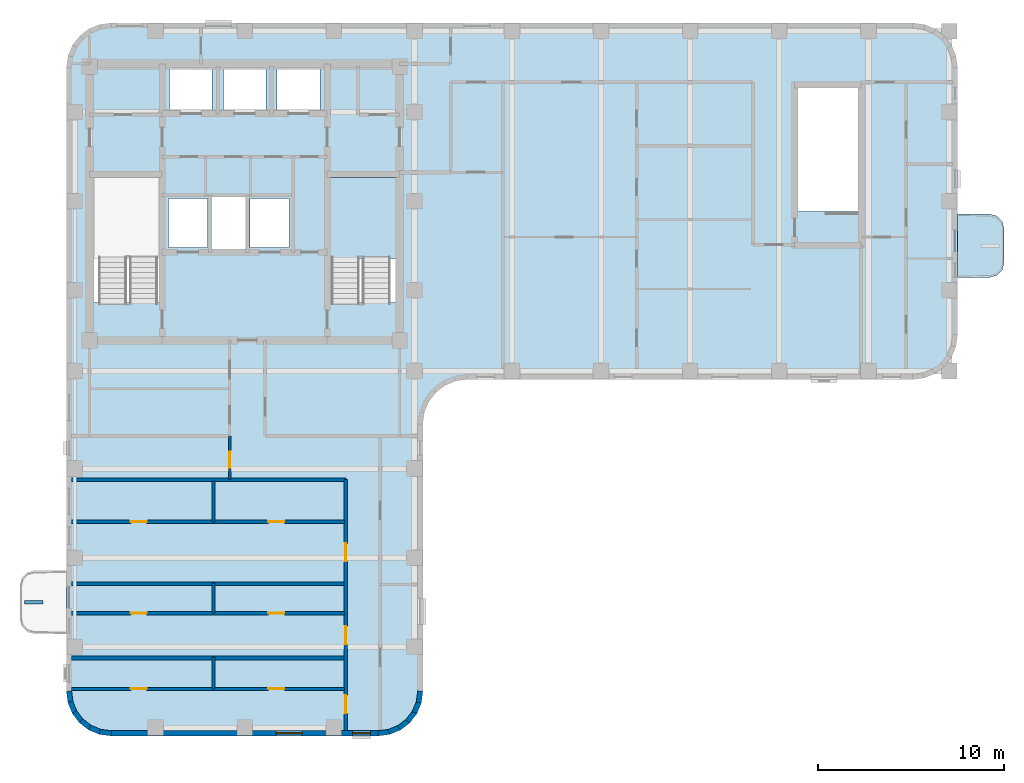
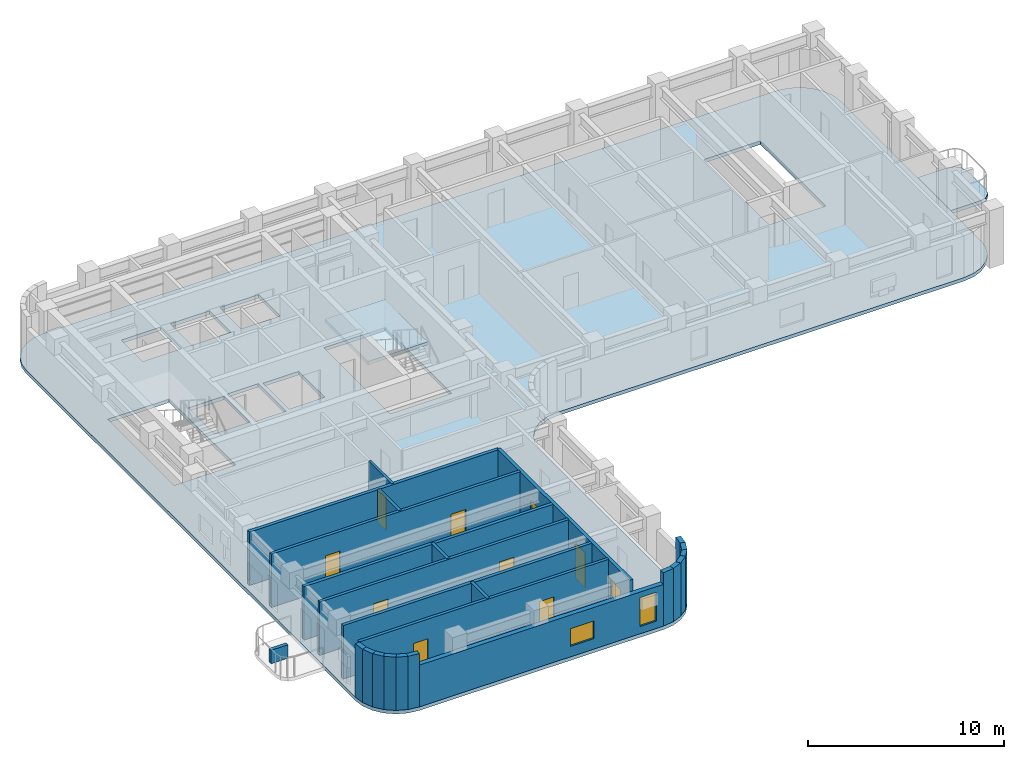
# One storey, part 2 of 8: 25 walls, 10 doors, 3 slabs, 2 windows, 12 openings, 1 element without a shape of its own.
"""IFC4 building model written with IfcOpenShell, lengths in metres."""

import ifcopenshell
import ifcopenshell.guid

model = None  # the IFC model being written
_history = None  # IfcOwnerHistory: only IFC2X3 demands one
_inside = {}  # id of a spatial element -> (the spatial element, [elements in it])
_under = {}  # id of a project, library or spatial element -> (it, [spatial elements below it])
_declared = {}  # id of a project -> (the project, [libraries it declares])
_typed = {}  # id of a type object -> (the type object, [elements of that type])
_made_of = {}  # id of a material, layer set ... -> (it, [elements and type objects made of it])


def new_model(schema):
    """Start an empty IFC model of exactly this schema.

    Asked for "IFC4X3", IfcOpenShell would pick the latest addendum, in which some entities
    have other attributes; the version numbers below select the first issue.
    IFC2X3 requires an IfcOwnerHistory on every rooted entity: one is made here for all.
    """
    global model, _history
    if schema == "IFC4X3":
        model = ifcopenshell.file(schema_version=(4, 3, 0, 0))
    else:
        model = ifcopenshell.file(schema=schema)
    _inside.clear()
    _under.clear()
    _declared.clear()
    _typed.clear()
    _made_of.clear()
    _history = None
    if model.schema == "IFC2X3":
        org = make("IfcOrganization", Name="unknown")
        user = make(
            "IfcPersonAndOrganization",
            ThePerson=make("IfcPerson", FamilyName="unknown"),
            TheOrganization=org,
        )
        app = make(
            "IfcApplication",
            ApplicationDeveloper=org,
            Version="unknown",
            ApplicationFullName="unknown",
            ApplicationIdentifier="unknown",
        )
        _history = make(
            "IfcOwnerHistory",
            OwningUser=user,
            OwningApplication=app,
            ChangeAction="ADDED",
            CreationDate=0,
        )
    return model


def make(cls, **values):
    """One entity of the class cls with the attributes given. An attribute that is None is left unset."""
    return model.create_entity(
        cls, **{name: value for name, value in values.items() if value is not None}
    )


def rooted(cls, **values):
    """An entity with a GlobalId (a new one), such as an element, a storey or a relation."""
    return make(cls, GlobalId=ifcopenshell.guid.new(), OwnerHistory=_history, **values)


def si_unit(unit_type, name, prefix=None):
    """IfcSIUnit, for example si_unit("LENGTHUNIT", "METRE", prefix="MILLI")."""
    return make("IfcSIUnit", UnitType=unit_type, Prefix=prefix, Name=name)


def assignment(units):
    """IfcUnitAssignment: the units of a project."""
    return None if units is None else make("IfcUnitAssignment", Units=units)


def point(xyz):
    """IfcCartesianPoint."""
    return None if xyz is None else make("IfcCartesianPoint", Coordinates=xyz)


def direction(xyz):
    """IfcDirection."""
    return None if xyz is None else make("IfcDirection", DirectionRatios=xyz)


def frame(location, z_axis=None, x_axis=None):
    """IfcAxis2Placement3D, a coordinate frame: its origin and axes. An axis left out is left unset."""
    return make(
        "IfcAxis2Placement3D",
        Location=point(location),
        Axis=direction(z_axis),
        RefDirection=direction(x_axis),
    )


def frame_2d(location, x_axis=None):
    """IfcAxis2Placement2D, a coordinate frame in the plane: its origin and x axis."""
    return make(
        "IfcAxis2Placement2D", Location=point(location), RefDirection=direction(x_axis)
    )


def origin():
    """The frame at (0, 0, 0) with its axes left unset."""
    return frame((0.0, 0.0, 0.0))


def place(relative_to, where):
    """IfcLocalPlacement: puts the frame where relative to a parent placement (None: the world)."""
    return make(
        "IfcLocalPlacement", PlacementRelTo=relative_to, RelativePlacement=where
    )


def context(
    kind, dimensions, precision=None, world=None, true_north=None, identifier=None
):
    """IfcGeometricRepresentationContext, for example the 3D "Model" context."""
    return make(
        "IfcGeometricRepresentationContext",
        ContextIdentifier=identifier,
        ContextType=kind,
        CoordinateSpaceDimension=dimensions,
        Precision=precision,
        WorldCoordinateSystem=world,
        TrueNorth=true_north,
    )


def subcontext(parent, identifier, kind, view, scale=None):
    """IfcGeometricRepresentationSubContext, for example "Body" below "Model"."""
    return make(
        "IfcGeometricRepresentationSubContext",
        ContextIdentifier=identifier,
        ContextType=kind,
        ParentContext=parent,
        TargetScale=scale,
        TargetView=view,
    )


def project(units=None, contexts=None):
    """IfcProject with its units and contexts."""
    return rooted(
        "IfcProject",
        Name="project",
        RepresentationContexts=contexts,
        UnitsInContext=assignment(units),
    )


def spatial(cls, under=None, at=None, **own):
    """A site, building, storey or space (cls), placed at a placement, below another one or the project."""
    s = rooted(cls, ObjectPlacement=at, **own)
    if under is not None:
        _under.setdefault(under.id(), (under, []))[1].append(s)
    return s


def polyline(points):
    """IfcPolyline through the points."""
    return make("IfcPolyline", Points=[point(p) for p in points])


def profile(cls, at=None, kind="AREA", **sizes):
    """A parametric profile (cls). Its sizes go by their IFC names, for example OverallWidth=200.0."""
    return make(cls, ProfileType=kind, Position=at, **sizes)


def rectangle(**sizes):
    """IfcRectangleProfileDef."""
    return profile("IfcRectangleProfileDef", **sizes)


def outline(outer, holes=None, kind="AREA"):
    """IfcArbitraryClosedProfileDef: a profile drawn as a closed curve; with holes, ...WithVoids."""
    if holes is None:
        return make("IfcArbitraryClosedProfileDef", ProfileType=kind, OuterCurve=outer)
    return make(
        "IfcArbitraryProfileDefWithVoids",
        ProfileType=kind,
        OuterCurve=outer,
        InnerCurves=holes,
    )


def extrude(swept, where, along, depth):
    """IfcExtrudedAreaSolid: the profile swept, set in the frame where, extruded along a direction by depth."""
    return make(
        "IfcExtrudedAreaSolid",
        SweptArea=swept,
        Position=where,
        ExtrudedDirection=direction(along),
        Depth=depth,
    )


def shape(context_of_items, identifier, shape_type, items):
    """IfcShapeRepresentation: the items that make up one representation, for example the "Body"."""
    return make(
        "IfcShapeRepresentation",
        ContextOfItems=context_of_items,
        RepresentationIdentifier=identifier,
        RepresentationType=shape_type,
        Items=items,
    )


def material(Name=None, Category=None):
    """IfcMaterial."""
    return make("IfcMaterial", Name=Name, Category=Category)


def layer(
    of_material, thickness, ventilated=None, Name=None, Category=None, Priority=None
):
    """IfcMaterialLayer: one layer of a wall or slab, of a material (None: an air gap)."""
    return make(
        "IfcMaterialLayer",
        Material=of_material,
        LayerThickness=thickness,
        IsVentilated=ventilated,
        Name=Name,
        Category=Category,
        Priority=Priority,
    )


def layer_set(layers, Name=None):
    """IfcMaterialLayerSet."""
    return make("IfcMaterialLayerSet", MaterialLayers=layers, LayerSetName=Name)


def made_of(thing, what):
    """Note that an element or type object is made of a material, layer set ...; save() writes the relation."""
    if what is not None:
        _made_of.setdefault(what.id(), (what, []))[1].append(thing)
    return thing


def type_object(cls, material=None, **own):
    """A type object (cls), such as IfcWallType, which elements share."""
    return made_of(rooted(cls, **own), material)


def element(
    cls,
    number,
    at=None,
    inside=None,
    cuts=None,
    type_object=None,
    material=None,
    context=None,
    identifier="Body",
    shape_type=None,
    held_by="IfcProductDefinitionShape",
    body=None,
    shapes=None,
    **own,
):
    """One element of the class cls, such as IfcWall. Its Tag is "e" and its number.

    at: its placement. inside: the storey or other place that contains it. cuts: it is an
    opening in that element (IfcRelVoidsElement). A single representation is given by context,
    identifier, shape_type and body (its items); several are given by shapes. held_by: the class
    of the entity that holds the representations. save() writes the other relations.
    """
    e = rooted(cls, Tag="e%d" % number, ObjectPlacement=at, **own)
    if body is not None:
        shapes = [shape(context, identifier, shape_type, body)]
    if shapes is not None:
        e.Representation = make(held_by, Representations=shapes)
    if inside is not None:
        _inside.setdefault(inside.id(), (inside, []))[1].append(e)
    if cuts is not None:
        rooted(
            "IfcRelVoidsElement", RelatingBuildingElement=cuts, RelatedOpeningElement=e
        )
    if type_object is not None:
        _typed.setdefault(type_object.id(), (type_object, []))[1].append(e)
    return made_of(e, material)


def fill(opening, filler):
    """IfcRelFillsElement: the door or window that sits in an opening."""
    return rooted(
        "IfcRelFillsElement",
        RelatingOpeningElement=opening,
        RelatedBuildingElement=filler,
    )


def aggregate(whole, parts):
    """IfcRelAggregates: a whole, such as a stair, and the parts it consists of."""
    return rooted("IfcRelAggregates", RelatingObject=whole, RelatedObjects=parts)


def save(model, path):
    """Write the relations noted so far, then the file.

    IfcRelAggregates (storeys below a building ...), IfcRelContainedInSpatialStructure (elements
    in a storey), IfcRelDefinesByType, IfcRelAssociatesMaterial and IfcRelDeclares: one each for
    every whole, place, type object, material and project.
    """
    for whole, parts in _under.values():
        aggregate(whole, parts)
    for where, things in _inside.values():
        rooted(
            "IfcRelContainedInSpatialStructure",
            RelatedElements=things,
            RelatingStructure=where,
        )
    for kind, things in _typed.values():
        rooted("IfcRelDefinesByType", RelatedObjects=things, RelatingType=kind)
    for what, things in _made_of.values():
        rooted("IfcRelAssociatesMaterial", RelatedObjects=things, RelatingMaterial=what)
    for by, libraries in _declared.values():
        rooted("IfcRelDeclares", RelatingContext=by, RelatedDefinitions=libraries)
    model.write(path)


model = new_model("IFC4")

# Units and contexts
model_context = context("Model", 3, precision=1e-05, world=origin(), true_north=direction((0.0, 1.0)))
body_context = subcontext(model_context, "Body", "Model", "MODEL_VIEW")
ifc_project = project(units=[si_unit("LENGTHUNIT", "METRE"), si_unit("AREAUNIT", "SQUARE_METRE"), si_unit("VOLUMEUNIT", "CUBIC_METRE"), si_unit("PLANEANGLEUNIT", "RADIAN"), si_unit("MASSUNIT", "GRAM", prefix="KILO")], contexts=[model_context])

# Site, building, storey
site_placement = place(None, origin())
site = spatial("IfcSite", under=ifc_project, at=site_placement, CompositionType="ELEMENT")
building_placement = place(site_placement, origin())
building = spatial("IfcBuilding", under=site, at=building_placement, Name="Orvandelia Arch Residences", CompositionType="ELEMENT")
storey_placement = place(building_placement, frame((0.0, 0.0, 236.199951171875)))
storey = spatial("IfcBuildingStorey", under=building, at=storey_placement, Name="L62", CompositionType="ELEMENT", Elevation=236.199951171875)

# Slab
ifc_material_1 = material(Name="Precast concrete C40/50", Category="concrete")
ifc_layer_1 = layer(ifc_material_1, 0.219970703125, Name="Precast concrete C40/50", Category="concrete")
ifc_layer_set_1 = layer_set([ifc_layer_1], Name="Precast concrete C40/50")
slab_type_1 = type_object("IfcSlabType", Name="SLB-BAL-220", PredefinedType="USERDEFINED", material=ifc_layer_set_1)
slab_1_placement = place(storey_placement, frame((0.0, 0.0, -0.219970703125)))
element("IfcSlab", 1, at=slab_1_placement, inside=storey, type_object=slab_type_1, Name="Tree Balcony Cantilever Slab BAL-L62-E1", ObjectType="BALCONY", PredefinedType="USERDEFINED", context=body_context, shape_type="SweptSolid", body=[
    extrude(outline(polyline([(52.800048828125, 37.699951171875), (52.800048828125, 34.300048828125), (54.550048828125, 34.300048828125), (54.925048828125, 34.400390625), (55.199462890625, 34.675048828125), (55.300048828125, 35.050048828125), (55.300048828125, 36.949951171875), (55.199462890625, 37.324951171875), (54.925048828125, 37.599609375), (54.550048828125, 37.699951171875), (52.800048828125, 37.699951171875)])), origin(), (0.0, 0.0, 1.0), 0.219970703125),
])

# Stair, slab
ifc_material_2 = material(Name="Concrete C40/50", Category="concrete")
stair_type = type_object("IfcStairType", Name="STAIR-RC-DOGLEG", PredefinedType="HALF_TURN_STAIR", material=ifc_material_2)
stair_placement = place(storey_placement, origin())
stair = element("IfcStair", 2, at=stair_placement, inside=storey, type_object=stair_type, Name="L62 Protected Exit Stair ST-2", PredefinedType="HALF_TURN_STAIR")
ifc_layer_2 = layer(ifc_material_2, 0.219970703125, Name="Concrete C40/50", Category="concrete")
ifc_layer_set_2 = layer_set([ifc_layer_2], Name="Concrete C40/50")
slab_type_2 = type_object("IfcSlabType", Name="SLB-LANDING-220", PredefinedType="LANDING", material=ifc_layer_set_2)
slab_2_placement = place(storey_placement, frame((0.0, 0.0, 1.60009765625)))
slab_2 = element("IfcSlab", 3, at=slab_2_placement, type_object=slab_type_2, Name="ST-2 landing 1", PredefinedType="LANDING", context=body_context, shape_type="SweptSolid", body=[
    extrude(outline(polyline([(22.5400390625, 35.31005859375), (22.5400390625, 39.68994140625), (19.0, 39.68994140625), (19.0, 35.31005859375), (22.5400390625, 35.31005859375)])), origin(), (0.0, 0.0, 1.0), 0.199951171875),
])
aggregate(stair, [slab_2])

# Slab
ifc_layer_3 = layer(ifc_material_2, 0.219970703125, Name="Concrete C40/50", Category="concrete")
ifc_layer_set_3 = layer_set([ifc_layer_3], Name="Concrete C40/50")
slab_type_3 = type_object("IfcSlabType", Name="SLB-TWR-220", PredefinedType="FLOOR", material=ifc_layer_set_3)
slab_3_placement = place(storey_placement, frame((0.0, 0.0, -0.219970703125)))
element("IfcSlab", 4, at=slab_3_placement, inside=storey, type_object=slab_type_3, Name="Structural Floor Slab L62-1", PredefinedType="FLOOR", context=body_context, shape_type="SweptSolid", body=[
    extrude(outline(polyline([(4.800048828125, 12.0), (4.8818359375, 11.37890625), (5.12158203125, 10.800048828125), (5.5029296875, 10.302978515625), (6.0, 9.92138671875), (6.578857421875, 9.681884765625), (7.199951171875, 9.60009765625), (21.60009765625, 9.60009765625), (22.22119140625, 9.681884765625), (22.800048828125, 9.92138671875), (23.297119140625, 10.302978515625), (23.678466796875, 10.800048828125), (23.918212890625, 11.37890625), (24.0, 12.0), (24.0, 26.39990234375), (24.081787109375, 27.021240234375), (24.321533203125, 27.60009765625), (24.702880859375, 28.09716796875), (25.199951171875, 28.478515625), (25.77880859375, 28.71826171875), (26.39990234375, 28.800048828125), (50.39990234375, 28.800048828125), (51.021240234375, 28.8818359375), (51.60009765625, 29.12158203125), (52.09716796875, 29.5029296875), (52.478515625, 30.0), (52.71826171875, 30.578857421875), (52.800048828125, 31.199951171875), (52.800048828125, 45.60009765625), (52.71826171875, 46.22119140625), (52.478515625, 46.800048828125), (52.09716796875, 47.297119140625), (51.60009765625, 47.678466796875), (51.021240234375, 47.918212890625), (50.39990234375, 48.0), (7.199951171875, 48.0), (6.578857421875, 47.918212890625), (6.0, 47.678466796875), (5.5029296875, 47.297119140625), (5.12158203125, 46.800048828125), (4.8818359375, 46.22119140625), (4.800048828125, 45.60009765625), (4.800048828125, 12.0)]), holes=[polyline([(6.219970703125, 32.949951171875), (9.840087890625, 32.949951171875), (9.840087890625, 39.72998046875), (6.219970703125, 39.72998046875), (6.219970703125, 32.949951171875)]), polyline([(18.9599609375, 32.949951171875), (22.580078125, 32.949951171875), (22.580078125, 39.72998046875), (18.9599609375, 39.72998046875), (18.9599609375, 32.949951171875)]), polyline([(44.139892578125, 37.85009765625), (47.47998046875, 37.85009765625), (47.47998046875, 44.5400390625), (44.139892578125, 44.5400390625), (44.139892578125, 37.85009765625)]), polyline([(12.639892578125, 35.81005859375), (14.4599609375, 35.81005859375), (14.4599609375, 38.639892578125), (12.639892578125, 38.639892578125), (12.639892578125, 35.81005859375)]), polyline([(10.300048828125, 35.89990234375), (12.39990234375, 35.89990234375), (12.39990234375, 38.550048828125), (10.300048828125, 38.550048828125), (10.300048828125, 35.89990234375)]), polyline([(14.699951171875, 35.89990234375), (16.800048828125, 35.89990234375), (16.800048828125, 38.550048828125), (14.699951171875, 38.550048828125), (14.699951171875, 35.89990234375)]), polyline([(10.35009765625, 43.300048828125), (12.64990234375, 43.300048828125), (12.64990234375, 45.5), (10.35009765625, 45.5), (10.35009765625, 43.300048828125)]), polyline([(13.25, 43.300048828125), (15.550048828125, 43.300048828125), (15.550048828125, 45.5), (13.25, 45.5), (13.25, 43.300048828125)]), polyline([(16.14990234375, 43.300048828125), (18.449951171875, 43.300048828125), (18.449951171875, 45.5), (16.14990234375, 45.5), (16.14990234375, 43.300048828125)])]), origin(), (0.0, 0.0, 1.0), 0.219970703125),
])

# Wall, openings, doors
ifc_material_3 = material(Name="Fire-Rated Corridor Partition")
ifc_layer_4 = layer(ifc_material_3, 0.199951171875, Name="Fire-Rated Corridor Partition")
ifc_layer_set_4 = layer_set([ifc_layer_4], Name="Fire-Rated Corridor Partition")
wall_type_1 = type_object("IfcWallType", Name="WL-CORR-200", PredefinedType="PARTITIONING", material=ifc_layer_set_4)
wall_1_placement = place(storey_placement, frame((19.85009765625, 9.8798828125, 0.0), z_axis=(0.0, 0.0, 1.0), x_axis=(0.0, 1.0, 0.0)))
wall_1 = element("IfcWall", 5, at=wall_1_placement, inside=storey, type_object=wall_type_1, Name="Interior Partition Wall WL-L62-WC-W", PredefinedType="PARTITIONING", context=body_context, shape_type="SweptSolid", body=[
    extrude(rectangle(XDim=13.52001953125, YDim=0.199951171875, at=frame_2d((6.760009765625, 0.0))), origin(), (0.0, 0.0, 1.0), 3.320068359375),
])
opening_1_placement = place(wall_1_placement, frame((0.93505859375, 0.0, 0.0)))
opening_1 = element("IfcOpeningElement", 6, at=opening_1_placement, cuts=wall_1, Name="Opening D1", PredefinedType="OPENING", context=body_context, shape_type="SweptSolid", body=[
    extrude(rectangle(XDim=0.97998046875, YDim=2.179931640625, at=frame_2d((0.489990234375, 1.08984375))), frame((0.0, 0.10986328125, 0.0), z_axis=(0.0, -1.0, 0.0), x_axis=(1.0, 0.0, 0.0)), (0.0, 0.0, 1.0), 0.219970703125),
])
opening_2_placement = place(wall_1_placement, frame((4.655029296875, 0.0, 0.0)))
opening_2 = element("IfcOpeningElement", 7, at=opening_2_placement, cuts=wall_1, Name="Opening D1", PredefinedType="OPENING", context=body_context, shape_type="SweptSolid", body=[
    extrude(rectangle(XDim=0.97998046875, YDim=2.179931640625, at=frame_2d((0.489990234375, 1.08984375))), frame((0.0, 0.10986328125, 0.0), z_axis=(0.0, -1.0, 0.0), x_axis=(1.0, 0.0, 0.0)), (0.0, 0.0, 1.0), 0.219970703125),
])
opening_3_placement = place(wall_1_placement, frame((9.116943359375, 0.0, 0.0)))
opening_3 = element("IfcOpeningElement", 8, at=opening_3_placement, cuts=wall_1, Name="Opening D1", PredefinedType="OPENING", context=body_context, shape_type="SweptSolid", body=[
    extrude(rectangle(XDim=0.97998046875, YDim=2.179931640625, at=frame_2d((0.489990234375, 1.08984375))), frame((0.0, 0.10986328125, 0.0), z_axis=(0.0, -1.0, 0.0), x_axis=(1.0, 0.0, 0.0)), (0.0, 0.0, 1.0), 0.219970703125),
])
ifc_material_4 = material(Name="Solid-Core Timber Acoustic Fire Door", Category="wood")
door_type_1 = type_object("IfcDoorType", Name="DR-ENT-980", OperationType="NOTDEFINED", PredefinedType="DOOR", material=ifc_material_4)
door_1_placement = place(opening_1_placement, origin())
door_1 = element("IfcDoor", 9, at=door_1_placement, inside=storey, type_object=door_type_1, Name="Unit L62-01 Entrance Door", OperationType="SINGLE_SWING_LEFT", OverallHeight=2.179931640625, OverallWidth=0.97998046875, PredefinedType="DOOR", context=body_context, shape_type="SweptSolid", body=[
    extrude(rectangle(XDim=0.97998046875, YDim=2.179931640625, at=frame_2d((0.489990234375, 1.08984375))), frame((0.0, 0.02490234375, 0.0), z_axis=(0.0, -1.0, 0.0), x_axis=(1.0, 0.0, 0.0)), (0.0, 0.0, 1.0), 0.050048828125),
])
fill(opening_1, door_1)
door_2_placement = place(opening_2_placement, origin())
door_2 = element("IfcDoor", 10, at=door_2_placement, inside=storey, type_object=door_type_1, Name="Unit L62-02 Entrance Door", OperationType="SINGLE_SWING_RIGHT", OverallHeight=2.179931640625, OverallWidth=0.97998046875, PredefinedType="DOOR", context=body_context, shape_type="SweptSolid", body=[
    extrude(rectangle(XDim=0.97998046875, YDim=2.179931640625, at=frame_2d((0.489990234375, 1.08984375))), frame((0.0, 0.02490234375, 0.0), z_axis=(0.0, -1.0, 0.0), x_axis=(1.0, 0.0, 0.0)), (0.0, 0.0, 1.0), 0.050048828125),
])
fill(opening_2, door_2)
door_3_placement = place(opening_3_placement, origin())
door_3 = element("IfcDoor", 11, at=door_3_placement, inside=storey, type_object=door_type_1, Name="Unit L62-03 Entrance Door", OperationType="SINGLE_SWING_LEFT", OverallHeight=2.179931640625, OverallWidth=0.97998046875, PredefinedType="DOOR", context=body_context, shape_type="SweptSolid", body=[
    extrude(rectangle(XDim=0.97998046875, YDim=2.179931640625, at=frame_2d((0.489990234375, 1.08984375))), frame((0.0, 0.02490234375, 0.0), z_axis=(0.0, -1.0, 0.0), x_axis=(1.0, 0.0, 0.0)), (0.0, 0.0, 1.0), 0.050048828125),
])
fill(opening_3, door_3)

# Walls
wall_2_placement = place(storey_placement, frame((5.080078125, 23.39990234375, 0.0), z_axis=(0.0, 0.0, 1.0), x_axis=(1.0, 0.0, 0.0)))
element("IfcWall", 12, at=wall_2_placement, inside=storey, type_object=wall_type_1, Name="Interior Partition Wall WL-L62-WLNK-S", PredefinedType="PARTITIONING", context=body_context, shape_type="SweptSolid", body=[
    extrude(rectangle(XDim=14.77001953125, YDim=0.199951171875, at=frame_2d((7.385009765625, 0.0))), origin(), (0.0, 0.0, 1.0), 3.320068359375),
])
ifc_layer_5 = layer(ifc_material_2, 0.199951171875, Name="Concrete C40/50", Category="concrete")
ifc_layer_set_5 = layer_set([ifc_layer_5], Name="Concrete C40/50")
wall_type_2 = type_object("IfcWallType", Name="WL-DEM-200", PredefinedType="SOLIDWALL", material=ifc_layer_set_5)
for number, where, z_axis, x_axis, name in (
    (13, (5.080078125, 13.800048828125, 0.0), (0.0, 0.0, 1.0), (1.0, 0.0, 0.0), "Interior Partition Wall WL-L62-DEM-WL-138"),
    (14, (5.080078125, 17.800048828125, 0.0), (0.0, 0.0, 1.0), (1.0, 0.0, 0.0), "Interior Partition Wall WL-L62-DEM-WL-178"),
):
    element("IfcWall", number, at=place(storey_placement, frame(where, z_axis=z_axis, x_axis=x_axis)), inside=storey, type_object=wall_type_2, Name=name, PredefinedType="SOLIDWALL", context=body_context, shape_type="SweptSolid", body=[
        extrude(rectangle(XDim=14.77001953125, YDim=0.199951171875, at=frame_2d((7.385009765625, 0.0))), origin(), (0.0, 0.0, 1.0), 3.320068359375),
    ])
ifc_layer_6 = layer(ifc_material_1, 0.280029296875, Name="Precast concrete C40/50", Category="concrete")
ifc_layer_set_6 = layer_set([ifc_layer_6], Name="Precast concrete C40/50")
wall_type_3 = type_object("IfcWallType", Name="WL-EXT-STONE-280", PredefinedType="STANDARD", material=ifc_layer_set_6)
for number, where, z_axis, x_axis, name in (
    (15, (23.861083984375, 12.018310546875, 0.0), (0.0, 0.0, 1.0), (-0.130555323746, -0.9914410257, 0.0), "Coral-Limestone Precast Facade Wall L62-029"),
    (16, (23.788818359375, 11.432373046875, 0.0), (0.0, 0.0, 1.0), (-0.382317370307, -0.924031075431, 0.0), "Coral-Limestone Precast Facade Wall L62-030"),
    (17, (23.5673828125, 10.88525390625, 0.0), (0.0, 0.0, 1.0), (-0.608693302629, -0.793405610854, 0.0), "Coral-Limestone Precast Facade Wall L62-031"),
    (18, (23.2119140625, 10.4140625, 0.0), (0.0, 0.0, 1.0), (-0.793405610854, -0.608693302629, 0.0), "Coral-Limestone Precast Facade Wall L62-032"),
    (19, (22.746337890625, 10.05078125, 0.0), (0.0, 0.0, 1.0), (-0.92389335771, -0.382650053678, 0.0), "Coral-Limestone Precast Facade Wall L62-033"),
    (20, (22.202880859375, 9.820556640625, 0.0), (0.0, 0.0, 1.0), (-0.9914410257, -0.130555323746, 0.0), "Coral-Limestone Precast Facade Wall L62-034"),
):
    element("IfcWall", number, at=place(storey_placement, frame(where, z_axis=z_axis, x_axis=x_axis)), inside=storey, type_object=wall_type_3, Name=name, PredefinedType="STANDARD", context=body_context, shape_type="SweptSolid", body=[
        extrude(rectangle(XDim=0.62646484375, YDim=0.280029296875, at=frame_2d((0.313232421875, 0.0))), origin(), (0.0, 0.0, 1.0), 3.320068359375),
    ])

# Wall, openings, windows
wall_3_placement = place(storey_placement, frame((21.60009765625, 9.739990234375, 0.0), z_axis=(0.0, 0.0, 1.0), x_axis=(-1.0, 0.0, 0.0)))
wall_3 = element("IfcWall", 21, at=wall_3_placement, inside=storey, type_object=wall_type_3, Name="Coral-Limestone Precast Facade Wall L62-035", PredefinedType="STANDARD", context=body_context, shape_type="SweptSolid", body=[
    extrude(rectangle(XDim=14.400146484375, YDim=0.280029296875, at=frame_2d((7.2001953125, 0.0))), origin(), (0.0, 0.0, 1.0), 2.60009765625),
])
opening_4_placement = place(wall_3_placement, frame((4.10009765625, 0.0, 0.64990234375)))
opening_4 = element("IfcOpeningElement", 22, at=opening_4_placement, cuts=wall_3, Name="Opening W10", PredefinedType="OPENING", context=body_context, shape_type="SweptSolid", body=[
    extrude(rectangle(XDim=1.39990234375, YDim=1.10009765625, at=frame_2d((0.699951171875, 0.550048828125))), frame((0.0, 0.14990234375, 0.0), z_axis=(0.0, -1.0, 0.0), x_axis=(1.0, 0.0, 0.0)), (0.0, 0.0, 1.0), 0.300048828125),
])
opening_5_placement = place(wall_3_placement, frame((0.429931640625, 0.0, 0.449951171875)))
opening_5 = element("IfcOpeningElement", 23, at=opening_5_placement, cuts=wall_3, Name="Opening W4", PredefinedType="OPENING", context=body_context, shape_type="SweptSolid", body=[
    extrude(rectangle(XDim=0.949951171875, YDim=1.800048828125, at=frame_2d((0.47509765625, 0.89990234375))), frame((0.0, 0.14990234375, 0.0), z_axis=(0.0, -1.0, 0.0), x_axis=(1.0, 0.0, 0.0)), (0.0, 0.0, 1.0), 0.300048828125),
])
ifc_material_5 = material(Name="Tempered Low-E Insulated Glazing", Category="glass")
window_type_1 = type_object("IfcWindowType", Name="WIN-CLR-1400x1100", PartitioningType="SINGLE_PANEL", PredefinedType="WINDOW", material=ifc_material_5)
window_1_placement = place(opening_4_placement, origin())
window_1 = element("IfcWindow", 24, at=window_1_placement, inside=storey, type_object=window_type_1, Name="Recessed Punched Window L62-014", OverallHeight=1.10009765625, OverallWidth=1.39990234375, PartitioningType="SINGLE_PANEL", PredefinedType="WINDOW", context=body_context, shape_type="SweptSolid", body=[
    extrude(rectangle(XDim=1.39990234375, YDim=1.10009765625, at=frame_2d((0.699951171875, 0.550048828125))), frame((0.0, 0.030029296875, 0.0), z_axis=(0.0, -1.0, 0.0), x_axis=(1.0, 0.0, 0.0)), (0.0, 0.0, 1.0), 0.06005859375),
])
fill(opening_4, window_1)
window_type_2 = type_object("IfcWindowType", Name="WIN-RES-0950x1800", PartitioningType="SINGLE_PANEL", PredefinedType="WINDOW", material=ifc_material_5)
window_2_placement = place(opening_5_placement, origin())
window_2 = element("IfcWindow", 25, at=window_2_placement, inside=storey, type_object=window_type_2, Name="Recessed Punched Window L62-015", OverallHeight=1.800048828125, OverallWidth=0.949951171875, PartitioningType="SINGLE_PANEL", PredefinedType="WINDOW", context=body_context, shape_type="SweptSolid", body=[
    extrude(rectangle(XDim=0.949951171875, YDim=1.800048828125, at=frame_2d((0.47509765625, 0.89990234375))), frame((0.0, 0.030029296875, 0.0), z_axis=(0.0, -1.0, 0.0), x_axis=(1.0, 0.0, 0.0)), (0.0, 0.0, 1.0), 0.06005859375),
])
fill(opening_5, window_2)

# Walls
wall_4_placement = place(storey_placement, frame((7.21826171875, 9.73876953125, 0.0), z_axis=(0.0, 0.0, 1.0), x_axis=(-0.9914410257, 0.130555323746, 0.0)))
element("IfcWall", 26, at=wall_4_placement, inside=storey, type_object=wall_type_3, Name="Coral-Limestone Precast Facade Wall L62-036", PredefinedType="STANDARD", context=body_context, shape_type="SweptSolid", body=[
    extrude(rectangle(XDim=0.62646484375, YDim=0.280029296875, at=frame_2d((0.313232421875, 0.0))), origin(), (0.0, 0.0, 1.0), 3.320068359375),
])
wall_5_placement = place(storey_placement, frame((6.63232421875, 9.81103515625, 0.0), z_axis=(0.0, 0.0, 1.0), x_axis=(-0.923836271867, 0.382787856107, 0.0)))
element("IfcWall", 27, at=wall_5_placement, inside=storey, type_object=wall_type_3, Name="Coral-Limestone Precast Facade Wall L62-037", PredefinedType="STANDARD", context=body_context, shape_type="SweptSolid", body=[
    extrude(rectangle(XDim=0.626220703125, YDim=0.280029296875, at=frame_2d((0.31298828125, 0.0))), origin(), (0.0, 0.0, 1.0), 3.320068359375),
])
for number, where, z_axis, x_axis, name in (
    (28, (6.085205078125, 10.03271484375, 0.0), (0.0, 0.0, 1.0), (-0.793405610854, 0.608693302629, 0.0), "Coral-Limestone Precast Facade Wall L62-038"),
    (29, (5.614013671875, 10.38818359375, 0.0), (0.0, 0.0, 1.0), (-0.608693302629, 0.793405610854, 0.0), "Coral-Limestone Precast Facade Wall L62-039"),
    (30, (5.250732421875, 10.853515625, 0.0), (0.0, 0.0, 1.0), (-0.382650053678, 0.92389335771, 0.0), "Coral-Limestone Precast Facade Wall L62-040"),
    (31, (5.0205078125, 11.397216796875, 0.0), (0.0, 0.0, 1.0), (-0.130555323746, 0.9914410257, 0.0), "Coral-Limestone Precast Facade Wall L62-041"),
):
    element("IfcWall", number, at=place(storey_placement, frame(where, z_axis=z_axis, x_axis=x_axis)), inside=storey, type_object=wall_type_3, Name=name, PredefinedType="STANDARD", context=body_context, shape_type="SweptSolid", body=[
        extrude(rectangle(XDim=0.62646484375, YDim=0.280029296875, at=frame_2d((0.313232421875, 0.0))), origin(), (0.0, 0.0, 1.0), 3.320068359375),
    ])

# Wall, opening, door
ifc_material_6 = material(Name="Acoustic Gypsum Stud Partition")
ifc_layer_7 = layer(ifc_material_6, 0.14990234375, Name="Acoustic Gypsum Stud Partition")
ifc_layer_set_7 = layer_set([ifc_layer_7], Name="Acoustic Gypsum Stud Partition")
wall_type_4 = type_object("IfcWallType", Name="WL-PART-150", PredefinedType="PARTITIONING", material=ifc_layer_set_7)
wall_6_placement = place(storey_placement, frame((13.60009765625, 23.39990234375, 0.0), z_axis=(0.0, 0.0, 1.0), x_axis=(0.0, 1.0, 0.0)))
wall_6 = element("IfcWall", 32, at=wall_6_placement, inside=storey, type_object=wall_type_4, Name="Interior Partition Wall WL-L62-WLNK-W", PredefinedType="PARTITIONING", context=body_context, shape_type="SweptSolid", body=[
    extrude(rectangle(XDim=2.35009765625, YDim=0.14990234375, at=frame_2d((1.175048828125, 0.0))), origin(), (0.0, 0.0, 1.0), 3.320068359375),
])
opening_6_placement = place(wall_6_placement, frame((0.64990234375, 0.0, 0.0)))
opening_6 = element("IfcOpeningElement", 33, at=opening_6_placement, cuts=wall_6, Name="Opening D4", PredefinedType="OPENING", context=body_context, shape_type="SweptSolid", body=[
    extrude(rectangle(XDim=0.860107421875, YDim=2.10009765625, at=frame_2d((0.43017578125, 1.050048828125))), frame((0.0, 0.0849609375, 0.0), z_axis=(0.0, -1.0, 0.0), x_axis=(1.0, 0.0, 0.0)), (0.0, 0.0, 1.0), 0.169921875),
])
ifc_material_7 = material(Name="Moisture-Sealed Timber Bathroom Door", Category="wood")
door_type_2 = type_object("IfcDoorType", Name="DR-WET-900", OperationType="NOTDEFINED", PredefinedType="DOOR", material=ifc_material_7)
door_4_placement = place(opening_6_placement, origin())
door_4 = element("IfcDoor", 34, at=door_4_placement, inside=storey, type_object=door_type_2, Name="DR-L62-WLNKST", OperationType="SINGLE_SWING_LEFT", OverallHeight=2.10009765625, OverallWidth=0.860107421875, PredefinedType="DOOR", context=body_context, shape_type="SweptSolid", body=[
    extrude(rectangle(XDim=0.860107421875, YDim=2.10009765625, at=frame_2d((0.43017578125, 1.050048828125))), frame((0.0, 0.02490234375, 0.0), z_axis=(0.0, -1.0, 0.0), x_axis=(1.0, 0.0, 0.0)), (0.0, 0.0, 1.0), 0.050048828125),
])
fill(opening_6, door_4)

# Wall
ifc_layer_8 = layer(ifc_material_1, 0.199951171875, Name="Precast concrete C40/50", Category="concrete")
ifc_layer_set_8 = layer_set([ifc_layer_8], Name="Precast concrete C40/50")
wall_type_5 = type_object("IfcWallType", Name="WL-PLANTER-200", PredefinedType="MOVABLE", material=ifc_layer_set_8)
wall_7_placement = place(storey_placement, frame((2.550048828125, 16.800048828125, 0.0), z_axis=(0.0, 0.0, 1.0), x_axis=(1.0, 0.0, 0.0)))
element("IfcWall", 35, at=wall_7_placement, inside=storey, type_object=wall_type_5, Name="Balcony Precast Tree Planter BAL-L62-W1", PredefinedType="MOVABLE", context=body_context, shape_type="SweptSolid", body=[
    extrude(rectangle(XDim=1.0, YDim=0.199951171875, at=frame_2d((0.5, 0.0))), origin(), (0.0, 0.0, 1.0), 0.85009765625),
])

# Wall, openings, doors
ifc_material_8 = material(Name="Moisture-Resistant Plumbing Wall")
ifc_layer_9 = layer(ifc_material_8, 0.179931640625, Name="Moisture-Resistant Plumbing Wall")
ifc_layer_set_9 = layer_set([ifc_layer_9], Name="Moisture-Resistant Plumbing Wall")
wall_type_6 = type_object("IfcWallType", Name="WL-WET-180", PredefinedType="PLUMBINGWALL", material=ifc_layer_set_9)
wall_8_placement = place(storey_placement, frame((5.080078125, 12.1298828125, 0.0), z_axis=(0.0, 0.0, 1.0), x_axis=(1.0, 0.0, 0.0)))
wall_8 = element("IfcWall", 36, at=wall_8_placement, inside=storey, type_object=wall_type_6, Name="Interior Partition Wall WL-L62-U01-HZ", PredefinedType="PLUMBINGWALL", context=body_context, shape_type="SweptSolid", body=[
    extrude(rectangle(XDim=14.7099609375, YDim=0.179931640625, at=frame_2d((7.35498046875, 0.0))), origin(), (0.0, 0.0, 1.0), 3.320068359375),
])
opening_7_placement = place(wall_8_placement, frame((3.18505859375, 0.0, 0.0)))
opening_7 = element("IfcOpeningElement", 37, at=opening_7_placement, cuts=wall_8, Name="Opening D4", PredefinedType="OPENING", context=body_context, shape_type="SweptSolid", body=[
    extrude(rectangle(XDim=0.860107421875, YDim=2.10009765625, at=frame_2d((0.43017578125, 1.050048828125))), frame((0.0, 0.10009765625, 0.0), z_axis=(0.0, -1.0, 0.0), x_axis=(1.0, 0.0, 0.0)), (0.0, 0.0, 1.0), 0.199951171875),
])
opening_8_placement = place(wall_8_placement, frame((10.60009765625, 0.0, 0.0)))
opening_8 = element("IfcOpeningElement", 38, at=opening_8_placement, cuts=wall_8, Name="Opening D4", PredefinedType="OPENING", context=body_context, shape_type="SweptSolid", body=[
    extrude(rectangle(XDim=0.860107421875, YDim=2.10009765625, at=frame_2d((0.43017578125, 1.050048828125))), frame((0.0, 0.10009765625, 0.0), z_axis=(0.0, -1.0, 0.0), x_axis=(1.0, 0.0, 0.0)), (0.0, 0.0, 1.0), 0.199951171875),
])
door_5_placement = place(opening_7_placement, origin())
door_5 = element("IfcDoor", 39, at=door_5_placement, inside=storey, type_object=door_type_2, Name="DR-L62-U01-KIT", OperationType="SINGLE_SWING_LEFT", OverallHeight=2.10009765625, OverallWidth=0.860107421875, PredefinedType="DOOR", context=body_context, shape_type="SweptSolid", body=[
    extrude(rectangle(XDim=0.860107421875, YDim=2.10009765625, at=frame_2d((0.43017578125, 1.050048828125))), frame((0.0, 0.02490234375, 0.0), z_axis=(0.0, -1.0, 0.0), x_axis=(1.0, 0.0, 0.0)), (0.0, 0.0, 1.0), 0.050048828125),
])
fill(opening_7, door_5)
door_6_placement = place(opening_8_placement, origin())
door_6 = element("IfcDoor", 40, at=door_6_placement, inside=storey, type_object=door_type_2, Name="DR-L62-U01-BTH", OperationType="SINGLE_SWING_RIGHT", OverallHeight=2.10009765625, OverallWidth=0.860107421875, PredefinedType="DOOR", context=body_context, shape_type="SweptSolid", body=[
    extrude(rectangle(XDim=0.860107421875, YDim=2.10009765625, at=frame_2d((0.43017578125, 1.050048828125))), frame((0.0, 0.02490234375, 0.0), z_axis=(0.0, -1.0, 0.0), x_axis=(1.0, 0.0, 0.0)), (0.0, 0.0, 1.0), 0.050048828125),
])
fill(opening_8, door_6)

# Wall
wall_9_placement = place(storey_placement, frame((12.719970703125, 12.1298828125, 0.0), z_axis=(0.0, 0.0, 1.0), x_axis=(0.0, 1.0, 0.0)))
element("IfcWall", 41, at=wall_9_placement, inside=storey, type_object=wall_type_6, Name="Interior Partition Wall WL-L62-U01-V1", PredefinedType="PLUMBINGWALL", context=body_context, shape_type="SweptSolid", body=[
    extrude(rectangle(XDim=1.710205078125, YDim=0.179931640625, at=frame_2d((0.85498046875, 0.0))), origin(), (0.0, 0.0, 1.0), 3.320068359375),
])

# Wall, openings, doors
wall_10_placement = place(storey_placement, frame((5.080078125, 16.2099609375, 0.0), z_axis=(0.0, 0.0, 1.0), x_axis=(1.0, 0.0, 0.0)))
wall_10 = element("IfcWall", 42, at=wall_10_placement, inside=storey, type_object=wall_type_6, Name="Interior Partition Wall WL-L62-U02-HZ", PredefinedType="PLUMBINGWALL", context=body_context, shape_type="SweptSolid", body=[
    extrude(rectangle(XDim=14.7099609375, YDim=0.179931640625, at=frame_2d((7.35498046875, 0.0))), origin(), (0.0, 0.0, 1.0), 3.320068359375),
])
opening_9_placement = place(wall_10_placement, frame((3.18505859375, 0.0, 0.0)))
opening_9 = element("IfcOpeningElement", 43, at=opening_9_placement, cuts=wall_10, Name="Opening D4", PredefinedType="OPENING", context=body_context, shape_type="SweptSolid", body=[
    extrude(rectangle(XDim=0.860107421875, YDim=2.10009765625, at=frame_2d((0.43017578125, 1.050048828125))), frame((0.0, 0.10009765625, 0.0), z_axis=(0.0, -1.0, 0.0), x_axis=(1.0, 0.0, 0.0)), (0.0, 0.0, 1.0), 0.199951171875),
])
opening_10_placement = place(wall_10_placement, frame((10.60009765625, 0.0, 0.0)))
opening_10 = element("IfcOpeningElement", 44, at=opening_10_placement, cuts=wall_10, Name="Opening D4", PredefinedType="OPENING", context=body_context, shape_type="SweptSolid", body=[
    extrude(rectangle(XDim=0.860107421875, YDim=2.10009765625, at=frame_2d((0.43017578125, 1.050048828125))), frame((0.0, 0.10009765625, 0.0), z_axis=(0.0, -1.0, 0.0), x_axis=(1.0, 0.0, 0.0)), (0.0, 0.0, 1.0), 0.199951171875),
])
door_7_placement = place(opening_9_placement, origin())
door_7 = element("IfcDoor", 45, at=door_7_placement, inside=storey, type_object=door_type_2, Name="DR-L62-U02-KIT", OperationType="SINGLE_SWING_RIGHT", OverallHeight=2.10009765625, OverallWidth=0.860107421875, PredefinedType="DOOR", context=body_context, shape_type="SweptSolid", body=[
    extrude(rectangle(XDim=0.860107421875, YDim=2.10009765625, at=frame_2d((0.43017578125, 1.050048828125))), frame((0.0, 0.02490234375, 0.0), z_axis=(0.0, -1.0, 0.0), x_axis=(1.0, 0.0, 0.0)), (0.0, 0.0, 1.0), 0.050048828125),
])
fill(opening_9, door_7)
door_8_placement = place(opening_10_placement, origin())
door_8 = element("IfcDoor", 46, at=door_8_placement, inside=storey, type_object=door_type_2, Name="DR-L62-U02-BTH", OperationType="SINGLE_SWING_LEFT", OverallHeight=2.10009765625, OverallWidth=0.860107421875, PredefinedType="DOOR", context=body_context, shape_type="SweptSolid", body=[
    extrude(rectangle(XDim=0.860107421875, YDim=2.10009765625, at=frame_2d((0.43017578125, 1.050048828125))), frame((0.0, 0.02490234375, 0.0), z_axis=(0.0, -1.0, 0.0), x_axis=(1.0, 0.0, 0.0)), (0.0, 0.0, 1.0), 0.050048828125),
])
fill(opening_10, door_8)

# Wall
wall_11_placement = place(storey_placement, frame((12.719970703125, 16.2099609375, 0.0), z_axis=(0.0, 0.0, 1.0), x_axis=(0.0, 1.0, 0.0)))
element("IfcWall", 47, at=wall_11_placement, inside=storey, type_object=wall_type_6, Name="Interior Partition Wall WL-L62-U02-V1", PredefinedType="PLUMBINGWALL", context=body_context, shape_type="SweptSolid", body=[
    extrude(rectangle(XDim=1.630126953125, YDim=0.179931640625, at=frame_2d((0.81494140625, 0.0))), origin(), (0.0, 0.0, 1.0), 3.320068359375),
])

# Wall, openings, doors
wall_12_placement = place(storey_placement, frame((5.080078125, 21.134033203125, 0.0), z_axis=(0.0, 0.0, 1.0), x_axis=(1.0, 0.0, 0.0)))
wall_12 = element("IfcWall", 48, at=wall_12_placement, inside=storey, type_object=wall_type_6, Name="Interior Partition Wall WL-L62-U03-HZ", PredefinedType="PLUMBINGWALL", context=body_context, shape_type="SweptSolid", body=[
    extrude(rectangle(XDim=14.7099609375, YDim=0.179931640625, at=frame_2d((7.35498046875, 0.0))), origin(), (0.0, 0.0, 1.0), 3.320068359375),
])
opening_11_placement = place(wall_12_placement, frame((3.18505859375, 0.0, 0.0)))
opening_11 = element("IfcOpeningElement", 49, at=opening_11_placement, cuts=wall_12, Name="Opening D4", PredefinedType="OPENING", context=body_context, shape_type="SweptSolid", body=[
    extrude(rectangle(XDim=0.860107421875, YDim=2.10009765625, at=frame_2d((0.43017578125, 1.050048828125))), frame((0.0, 0.10009765625, 0.0), z_axis=(0.0, -1.0, 0.0), x_axis=(1.0, 0.0, 0.0)), (0.0, 0.0, 1.0), 0.199951171875),
])
opening_12_placement = place(wall_12_placement, frame((10.60009765625, 0.0, 0.0)))
opening_12 = element("IfcOpeningElement", 50, at=opening_12_placement, cuts=wall_12, Name="Opening D4", PredefinedType="OPENING", context=body_context, shape_type="SweptSolid", body=[
    extrude(rectangle(XDim=0.860107421875, YDim=2.10009765625, at=frame_2d((0.43017578125, 1.050048828125))), frame((0.0, 0.10009765625, 0.0), z_axis=(0.0, -1.0, 0.0), x_axis=(1.0, 0.0, 0.0)), (0.0, 0.0, 1.0), 0.199951171875),
])
door_9_placement = place(opening_11_placement, origin())
door_9 = element("IfcDoor", 51, at=door_9_placement, inside=storey, type_object=door_type_2, Name="DR-L62-U03-KIT", OperationType="SINGLE_SWING_LEFT", OverallHeight=2.10009765625, OverallWidth=0.860107421875, PredefinedType="DOOR", context=body_context, shape_type="SweptSolid", body=[
    extrude(rectangle(XDim=0.860107421875, YDim=2.10009765625, at=frame_2d((0.43017578125, 1.050048828125))), frame((0.0, 0.02490234375, 0.0), z_axis=(0.0, -1.0, 0.0), x_axis=(1.0, 0.0, 0.0)), (0.0, 0.0, 1.0), 0.050048828125),
])
fill(opening_11, door_9)
door_10_placement = place(opening_12_placement, origin())
door_10 = element("IfcDoor", 52, at=door_10_placement, inside=storey, type_object=door_type_2, Name="DR-L62-U03-BTH", OperationType="SINGLE_SWING_RIGHT", OverallHeight=2.10009765625, OverallWidth=0.860107421875, PredefinedType="DOOR", context=body_context, shape_type="SweptSolid", body=[
    extrude(rectangle(XDim=0.860107421875, YDim=2.10009765625, at=frame_2d((0.43017578125, 1.050048828125))), frame((0.0, 0.02490234375, 0.0), z_axis=(0.0, -1.0, 0.0), x_axis=(1.0, 0.0, 0.0)), (0.0, 0.0, 1.0), 0.050048828125),
])
fill(opening_12, door_10)

# Wall
wall_13_placement = place(storey_placement, frame((12.719970703125, 21.134033203125, 0.0), z_axis=(0.0, 0.0, 1.0), x_axis=(0.0, 1.0, 0.0)))
element("IfcWall", 53, at=wall_13_placement, inside=storey, type_object=wall_type_6, Name="Interior Partition Wall WL-L62-U03-V1", PredefinedType="PLUMBINGWALL", context=body_context, shape_type="SweptSolid", body=[
    extrude(rectangle(XDim=2.2060546875, YDim=0.179931640625, at=frame_2d((1.10302734375, 0.0))), origin(), (0.0, 0.0, 1.0), 3.320068359375),
])

save(model, "model.ifc")
